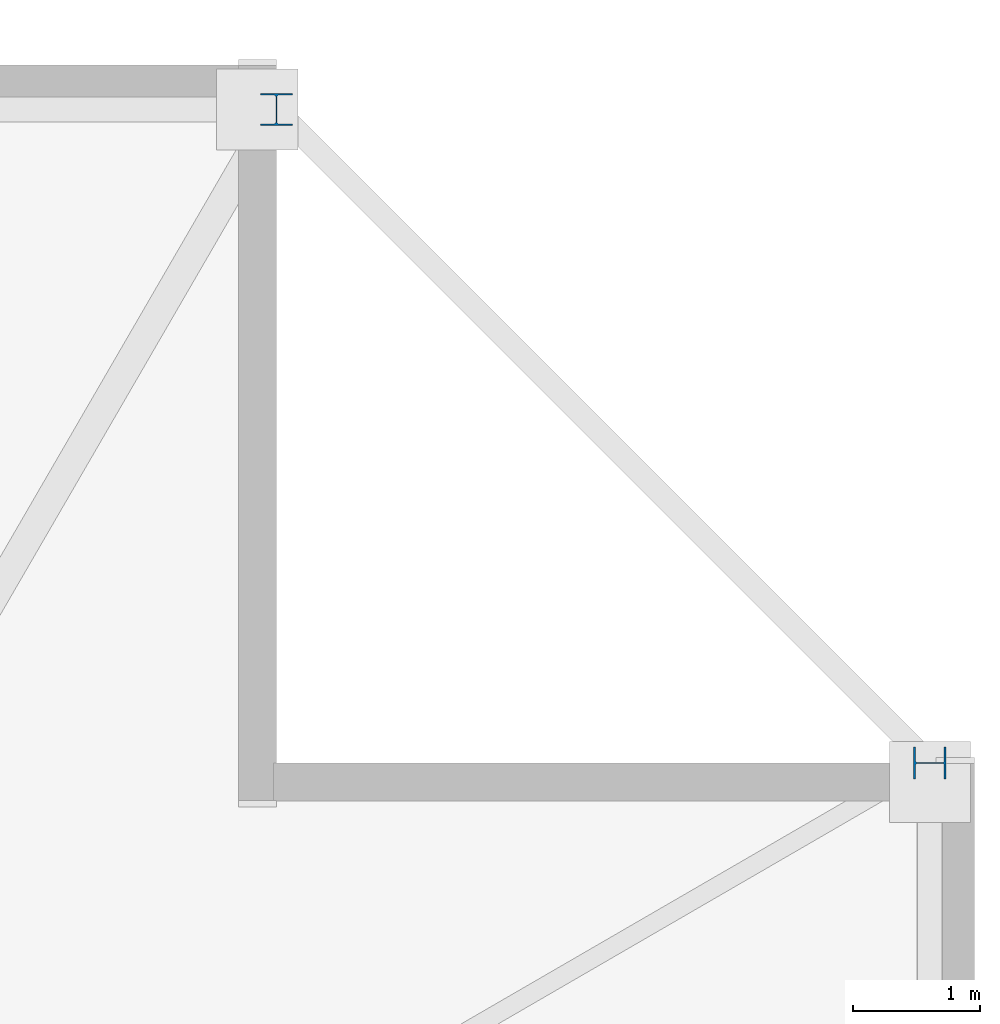
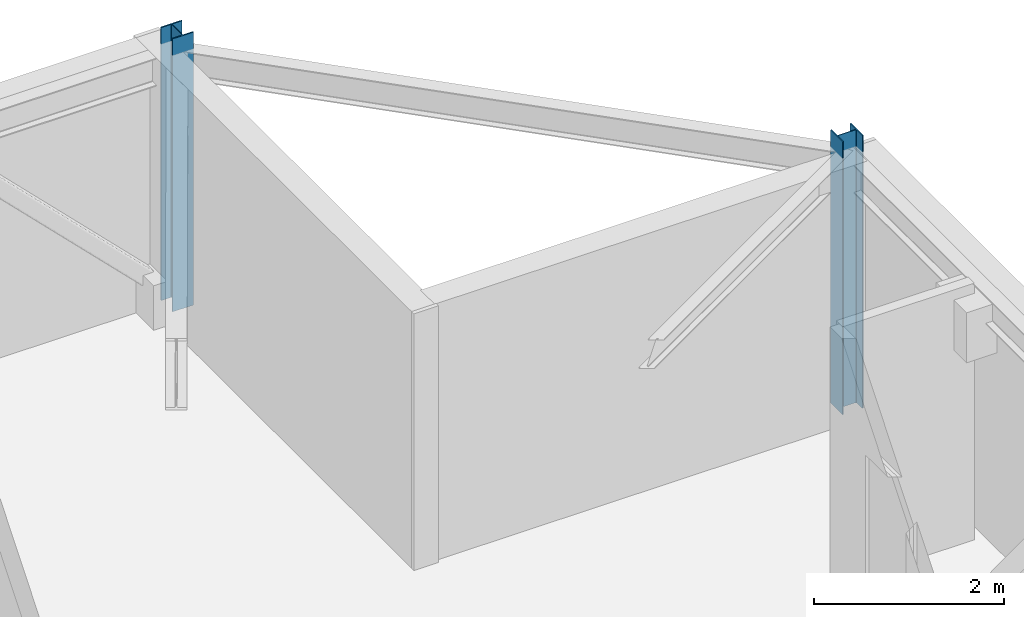
# One storey, part 5 of 14: 2 columns.
"""IFC4 building model written with IfcOpenShell, lengths in metres."""

from ifc_helpers import new_model, si_unit, direction, frame, origin, origin_2d, place, context, subcontext, project, spatial, i_section, extrude, material, material_profile, profile_set, type_object, element, save


model = new_model("IFC4")

# Units and contexts
model_context = context("Model", 3, precision=1e-05, world=origin(), true_north=direction((0.0, 1.0)))
body_context = subcontext(model_context, "Body", "Model", "MODEL_VIEW")
ifc_project = project(units=[si_unit("LENGTHUNIT", "METRE"), si_unit("AREAUNIT", "SQUARE_METRE"), si_unit("VOLUMEUNIT", "CUBIC_METRE"), si_unit("PLANEANGLEUNIT", "RADIAN"), si_unit("MASSUNIT", "GRAM", prefix="KILO")], contexts=[model_context])

# Site, building, storey
site_placement = place(None, origin())
site = spatial("IfcSite", under=ifc_project, at=site_placement, CompositionType="ELEMENT")
building_placement = place(site_placement, origin())
building = spatial("IfcBuilding", under=site, at=building_placement, Name="Cairnveth Concourse Tower", CompositionType="ELEMENT")
storey_placement = place(building_placement, frame((0.0, 0.0, 308.5)))
storey = spatial("IfcBuildingStorey", under=building, at=storey_placement, Name="L85", CompositionType="ELEMENT", Elevation=308.5)

# Columns
ifc_material = material(Name="Steel Grade 350", Category="steel")
ifc_material_profile = material_profile(ifc_material, i_section(OverallWidth=0.25390625, OverallDepth=0.25390625, WebThickness=0.008544921875, FlangeThickness=0.01416015625, FilletRadius=0.012939453125, at=origin_2d()), Name="250UC72.9")
ifc_profile_set = profile_set([ifc_material_profile], Name="Steel Grade 350")
column_type = type_object("IfcColumnType", Name="UNIVERSAL STEEL COLUMN 250UC72.9", PredefinedType="COLUMN", material=ifc_profile_set)
for number, where, z_axis, x_axis, name in (
    (1, (72.64990234375, 54.5, 0.0), (0.0, 0.0, 1.0), (0.0, 1.0, 0.0), "Column P-E4 L85"),
    (2, (67.5, 59.64990234375, 0.0), (0.0, 0.0, 1.0), (1.0, 0.0, 0.0), "Column P-N1 L85"),
):
    element("IfcColumn", number, at=place(storey_placement, frame(where, z_axis=z_axis, x_axis=x_axis)), inside=storey, type_object=column_type, Name=name, PredefinedType="COLUMN", context=body_context, shape_type="SweptSolid", body=[
        extrude(i_section(OverallWidth=0.25390625, OverallDepth=0.25390625, WebThickness=0.008544921875, FlangeThickness=0.01416015625, FilletRadius=0.012939453125, at=origin_2d()), origin(), (0.0, 0.0, 1.0), 3.5),
    ])

save(model, "model.ifc")
